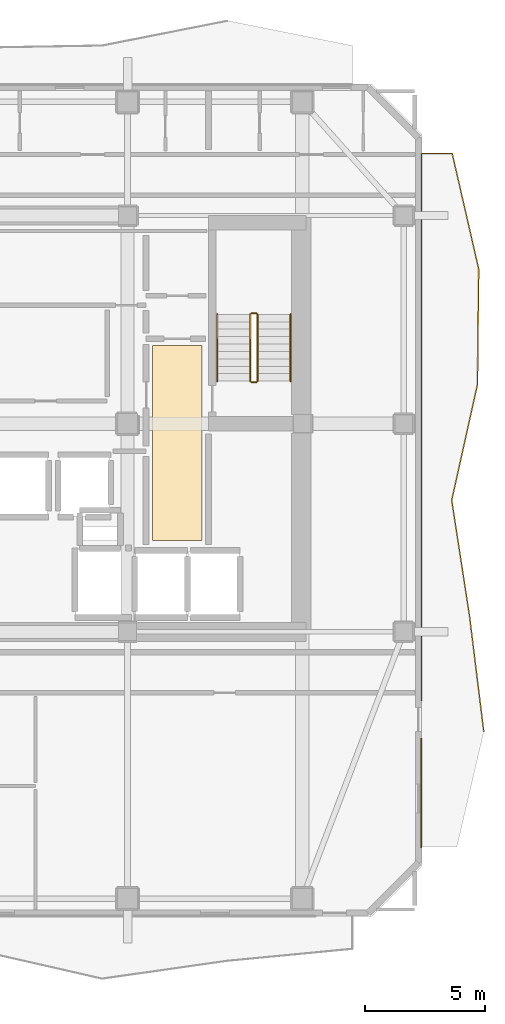
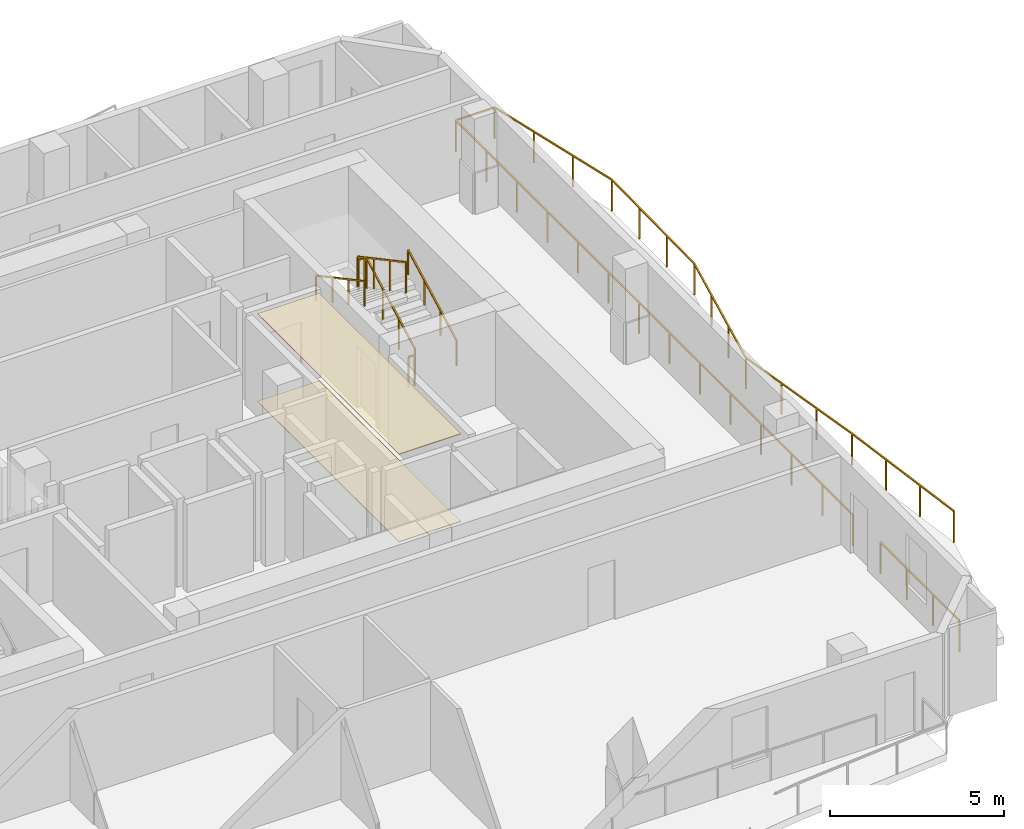
# One storey, part 9 of 10: 8 railings, 2 coverings.
"""IFC4 building model written with IfcOpenShell, lengths in metres."""

from ifc_helpers import new_model, si_unit, direction, frame, origin, origin_2d, place, context, subcontext, project, spatial, polyline, rectangle, outline, extrude, material, layer, layer_set, type_object, element, save


model = new_model("IFC4")

# Units and contexts
model_context = context("Model", 3, precision=1e-05, world=origin(), true_north=direction((0.0, 1.0)))
body_context = subcontext(model_context, "Body", "Model", "MODEL_VIEW")
ifc_project = project(units=[si_unit("LENGTHUNIT", "METRE"), si_unit("AREAUNIT", "SQUARE_METRE"), si_unit("VOLUMEUNIT", "CUBIC_METRE"), si_unit("PLANEANGLEUNIT", "RADIAN"), si_unit("MASSUNIT", "GRAM", prefix="KILO")], contexts=[model_context])

# Site, building, storey
site_placement = place(None, origin())
site = spatial("IfcSite", under=ifc_project, at=site_placement, CompositionType="ELEMENT")
building_placement = place(site_placement, origin())
building = spatial("IfcBuilding", under=site, at=building_placement, Name="Solanera Arch Residences", CompositionType="ELEMENT")
storey_placement = place(building_placement, frame((0.0, 0.0, 203.43994140625)))
storey = spatial("IfcBuildingStorey", under=building, at=storey_placement, Name="L59", CompositionType="ELEMENT", Elevation=203.43994140625)

# Railings
ifc_material_1 = material(Name="Steel S355 (ASTM A992 / A572 Grade 50)", Category="steel")
railing_type_1 = type_object("IfcRailingType", Name="Balustrade Railing BL-1100", PredefinedType="BALUSTRADE", material=ifc_material_1)
railing_1_placement = place(storey_placement, frame((44.092041015625, 17.8330078125, 0.0)))
element("IfcRailing", 1, at=railing_1_placement, inside=storey, type_object=railing_type_1, Name="L59 E Balcony Balustrade 1", PredefinedType="BALUSTRADE", context=body_context, shape_type="SweptSolid", body=[
    extrude(rectangle(XDim=0.048095703125, YDim=0.048095703125, at=origin_2d()), frame((0.0, 0.0, 1.09619140625), z_axis=(-0.122356507499, 0.992486214047, 0.0), x_axis=(-0.992486214047, -0.122356507499, 0.0)), (0.0, 0.0, 1.0), 4.87060546875),
    extrude(rectangle(XDim=0.048095703125, YDim=0.048095703125, at=origin_2d()), frame((-0.595947265625, 4.833984375, 1.09619140625), z_axis=(-0.152177238605, 0.988353220286, 0.0), x_axis=(-0.988353220286, -0.152177238605, 0.0)), (0.0, 0.0, 1.0), 4.889892578125),
    extrude(rectangle(XDim=0.048095703125, YDim=0.048095703125, at=origin_2d()), frame((-1.340087890625, 9.6669921875, 1.09619140625), z_axis=(0.217113192139, 0.976146434609, 0.0), x_axis=(-0.976146434609, 0.217113192139, 0.0)), (0.0, 0.0, 1.0), 4.951171875),
    extrude(rectangle(XDim=0.048095703125, YDim=0.048095703125, at=origin_2d()), frame((-0.26513671875, 14.5, 1.09619140625), z_axis=(0.010958937825, 0.999939949038, 0.0), x_axis=(-0.999939949038, 0.010958937825, 0.0)), (0.0, 0.0, 1.0), 4.834228515625),
    extrude(rectangle(XDim=0.048095703125, YDim=0.048095703125, at=origin_2d()), frame((-0.212158203125, 19.333984375, 1.09619140625), z_axis=(-0.2236295361, 0.974674217666, 0.0), x_axis=(-0.974674217666, -0.2236295361, 0.0)), (0.0, 0.0, 1.0), 4.95849609375),
    extrude(rectangle(XDim=0.048095703125, YDim=0.048095703125, at=origin_2d()), frame((-1.321044921875, 24.1669921875, 1.09619140625), z_axis=(-1.0, 0.0, 0.0), x_axis=(0.0, -1.0, 0.0)), (0.0, 0.0, 1.0), 1.291015625),
    extrude(rectangle(XDim=0.048095703125, YDim=0.048095703125, at=origin_2d()), frame((-2.612060546875, 24.1669921875, 1.09619140625), z_axis=(0.0, -1.0, 0.0), x_axis=(1.0, 0.0, 0.0)), (0.0, 0.0, 1.0), 22.863037109375),
    extrude(rectangle(XDim=0.0419921875, YDim=0.0419921875, at=origin_2d()), origin(), (0.0, 0.0, 1.0), 1.072021484375),
    extrude(rectangle(XDim=0.0419921875, YDim=0.0419921875, at=origin_2d()), frame((-0.19873046875, 1.611328125, 0.0)), (0.0, 0.0, 1.0), 1.072021484375),
    extrude(rectangle(XDim=0.0419921875, YDim=0.0419921875, at=origin_2d()), frame((-0.397216796875, 3.22265625, 0.0)), (0.0, 0.0, 1.0), 1.072021484375),
    extrude(rectangle(XDim=0.0419921875, YDim=0.0419921875, at=origin_2d()), frame((-0.595947265625, 4.833984375, 0.0)), (0.0, 0.0, 1.0), 1.072021484375),
    extrude(rectangle(XDim=0.0419921875, YDim=0.0419921875, at=origin_2d()), frame((-0.843994140625, 6.445068359375, 0.0)), (0.0, 0.0, 1.0), 1.072021484375),
    extrude(rectangle(XDim=0.0419921875, YDim=0.0419921875, at=origin_2d()), frame((-1.092041015625, 8.055908203125, 0.0)), (0.0, 0.0, 1.0), 1.072021484375),
    extrude(rectangle(XDim=0.0419921875, YDim=0.0419921875, at=origin_2d()), frame((-1.340087890625, 9.6669921875, 0.0)), (0.0, 0.0, 1.0), 1.072021484375),
    extrude(rectangle(XDim=0.0419921875, YDim=0.0419921875, at=origin_2d()), frame((-0.981689453125, 11.278076171875, 0.0)), (0.0, 0.0, 1.0), 1.072021484375),
    extrude(rectangle(XDim=0.0419921875, YDim=0.0419921875, at=origin_2d()), frame((-0.62353515625, 12.888916015625, 0.0)), (0.0, 0.0, 1.0), 1.072021484375),
    extrude(rectangle(XDim=0.0419921875, YDim=0.0419921875, at=origin_2d()), frame((-0.26513671875, 14.5, 0.0)), (0.0, 0.0, 1.0), 1.072021484375),
    extrude(rectangle(XDim=0.0419921875, YDim=0.0419921875, at=origin_2d()), frame((-0.24755859375, 16.111328125, 0.0)), (0.0, 0.0, 1.0), 1.072021484375),
    extrude(rectangle(XDim=0.0419921875, YDim=0.0419921875, at=origin_2d()), frame((-0.229736328125, 17.72265625, 0.0)), (0.0, 0.0, 1.0), 1.072021484375),
    extrude(rectangle(XDim=0.0419921875, YDim=0.0419921875, at=origin_2d()), frame((-0.212158203125, 19.333984375, 0.0)), (0.0, 0.0, 1.0), 1.072021484375),
    extrude(rectangle(XDim=0.0419921875, YDim=0.0419921875, at=origin_2d()), frame((-0.581787109375, 20.945068359375, 0.0)), (0.0, 0.0, 1.0), 1.072021484375),
    extrude(rectangle(XDim=0.0419921875, YDim=0.0419921875, at=origin_2d()), frame((-0.951416015625, 22.555908203125, 0.0)), (0.0, 0.0, 1.0), 1.072021484375),
    extrude(rectangle(XDim=0.0419921875, YDim=0.0419921875, at=origin_2d()), frame((-1.321044921875, 24.1669921875, 0.0)), (0.0, 0.0, 1.0), 1.072021484375),
    extrude(rectangle(XDim=0.0419921875, YDim=0.0419921875, at=origin_2d()), frame((-2.612060546875, 24.1669921875, 0.0)), (0.0, 0.0, 1.0), 1.072021484375),
    extrude(rectangle(XDim=0.0419921875, YDim=0.0419921875, at=origin_2d()), frame((-2.612060546875, 22.408203125, 0.0)), (0.0, 0.0, 1.0), 1.072021484375),
    extrude(rectangle(XDim=0.0419921875, YDim=0.0419921875, at=origin_2d()), frame((-2.612060546875, 20.649658203125, 0.0)), (0.0, 0.0, 1.0), 1.072021484375),
    extrude(rectangle(XDim=0.0419921875, YDim=0.0419921875, at=origin_2d()), frame((-2.612060546875, 18.890869140625, 0.0)), (0.0, 0.0, 1.0), 1.072021484375),
    extrude(rectangle(XDim=0.0419921875, YDim=0.0419921875, at=origin_2d()), frame((-2.612060546875, 17.13232421875, 0.0)), (0.0, 0.0, 1.0), 1.072021484375),
    extrude(rectangle(XDim=0.0419921875, YDim=0.0419921875, at=origin_2d()), frame((-2.612060546875, 15.37353515625, 0.0)), (0.0, 0.0, 1.0), 1.072021484375),
    extrude(rectangle(XDim=0.0419921875, YDim=0.0419921875, at=origin_2d()), frame((-2.612060546875, 13.61474609375, 0.0)), (0.0, 0.0, 1.0), 1.072021484375),
    extrude(rectangle(XDim=0.0419921875, YDim=0.0419921875, at=origin_2d()), frame((-2.612060546875, 11.856201171875, 0.0)), (0.0, 0.0, 1.0), 1.072021484375),
    extrude(rectangle(XDim=0.0419921875, YDim=0.0419921875, at=origin_2d()), frame((-2.612060546875, 10.097412109375, 0.0)), (0.0, 0.0, 1.0), 1.072021484375),
    extrude(rectangle(XDim=0.0419921875, YDim=0.0419921875, at=origin_2d()), frame((-2.612060546875, 8.338623046875, 0.0)), (0.0, 0.0, 1.0), 1.072021484375),
    extrude(rectangle(XDim=0.0419921875, YDim=0.0419921875, at=origin_2d()), frame((-2.612060546875, 6.580078125, 0.0)), (0.0, 0.0, 1.0), 1.072021484375),
    extrude(rectangle(XDim=0.0419921875, YDim=0.0419921875, at=origin_2d()), frame((-2.612060546875, 4.8212890625, 0.0)), (0.0, 0.0, 1.0), 1.072021484375),
    extrude(rectangle(XDim=0.0419921875, YDim=0.0419921875, at=origin_2d()), frame((-2.612060546875, 3.062744140625, 0.0)), (0.0, 0.0, 1.0), 1.072021484375),
    extrude(rectangle(XDim=0.0419921875, YDim=0.0419921875, at=origin_2d()), frame((-2.612060546875, 1.303955078125, 0.0)), (0.0, 0.0, 1.0), 1.072021484375),
])
railing_2_placement = place(storey_placement, frame((41.47998046875, 17.537109375, 0.0)))
element("IfcRailing", 2, at=railing_2_placement, inside=storey, type_object=railing_type_1, Name="L59 E Balcony Balustrade 2", PredefinedType="BALUSTRADE", context=body_context, shape_type="SweptSolid", body=[
    extrude(rectangle(XDim=0.048095703125, YDim=0.048095703125, at=origin_2d()), frame((0.0, 0.0, 1.09619140625), z_axis=(0.0, -1.0, 0.0), x_axis=(1.0, 0.0, 0.0)), (0.0, 0.0, 1.0), 4.537109375),
    extrude(rectangle(XDim=0.0419921875, YDim=0.0419921875, at=origin_2d()), origin(), (0.0, 0.0, 1.0), 1.072021484375),
    extrude(rectangle(XDim=0.0419921875, YDim=0.0419921875, at=origin_2d()), frame((0.0, -1.512451171875, 0.0)), (0.0, 0.0, 1.0), 1.072021484375),
    extrude(rectangle(XDim=0.0419921875, YDim=0.0419921875, at=origin_2d()), frame((0.0, -3.024658203125, 0.0)), (0.0, 0.0, 1.0), 1.072021484375),
    extrude(rectangle(XDim=0.0419921875, YDim=0.0419921875, at=origin_2d()), frame((0.0, -4.537109375, 0.0)), (0.0, 0.0, 1.0), 1.072021484375),
])

# Covering
ifc_material_2 = material(Name="Porcelain Acoustic Floor Tile", Category="ceramic")
ifc_layer_1 = layer(ifc_material_2, 0.02001953125)
ifc_layer_set_1 = layer_set([ifc_layer_1], Name="Porcelain Acoustic Floor Tile")
covering_type_1 = type_object("IfcCoveringType", Name="Porcelain Acoustic Floor Finish FLR-20", PredefinedType="FLOORING", material=ifc_layer_set_1)
covering_1_placement = place(storey_placement, origin())
element("IfcCovering", 3, at=covering_1_placement, inside=storey, type_object=covering_type_1, Name="L59-FFL-E Porcelain Floor Finish", PredefinedType="FLOORING", context=body_context, shape_type="SweptSolid", body=[
    extrude(outline(polyline([(32.304931640625, 25.824951171875), (30.25, 25.824951171875), (30.25, 33.97509765625), (32.304931640625, 33.97509765625), (32.304931640625, 25.824951171875)])), origin(), (0.0, 0.0, 1.0), 0.02001953125),
])

# Railings
ifc_material_3 = material(Name="Steel S355 (ASTM A992 / A572 Grade 50)", Category="steel")
railing_type_2 = type_object("IfcRailingType", Name="Stair Guardrail GR-1100", PredefinedType="GUARDRAIL", material=ifc_material_3)
railing_3_placement = place(storey_placement, frame((34.6298828125, 32.47998046875, 0.151123046875)))
element("IfcRailing", 4, at=railing_3_placement, inside=storey, type_object=railing_type_2, Name="L59 ST-T2 stair guard 1", PredefinedType="GUARDRAIL", context=body_context, shape_type="SweptSolid", body=[
    extrude(rectangle(XDim=0.048095703125, YDim=0.048095703125, at=origin_2d()), frame((0.0, 0.0, 1.076171875), z_axis=(0.0, 0.881580869306, 0.472033018838), x_axis=(-1.0, 0.0, 0.0)), (0.0, 0.0, 1.0), 3.164794921875),
    extrude(rectangle(XDim=0.0419921875, YDim=0.0419921875, at=origin_2d()), origin(), (0.0, 0.0, 1.0), 1.052001953125),
    extrude(rectangle(XDim=0.0419921875, YDim=0.0419921875, at=origin_2d()), frame((0.0, 0.929931640625, 0.498046875)), (0.0, 0.0, 1.0), 1.052001953125),
    extrude(rectangle(XDim=0.0419921875, YDim=0.0419921875, at=origin_2d()), frame((0.0, 1.860107421875, 0.995849609375)), (0.0, 0.0, 1.0), 1.052001953125),
    extrude(rectangle(XDim=0.0419921875, YDim=0.0419921875, at=origin_2d()), frame((0.0, 2.7900390625, 1.493896484375)), (0.0, 0.0, 1.0), 1.052001953125),
])
railing_4_placement = place(storey_placement, frame((34.580078125, 35.320068359375, 1.64501953125)))
element("IfcRailing", 5, at=railing_4_placement, inside=storey, type_object=railing_type_2, Name="L59 ST-T2 stair guard 2", PredefinedType="GUARDRAIL", context=body_context, shape_type="SweptSolid", body=[
    extrude(rectangle(XDim=0.048095703125, YDim=0.048095703125, at=origin_2d()), frame((0.0, 0.0, 1.076171875), z_axis=(-1.0, 0.0, 0.0), x_axis=(0.0, -1.0, 0.0)), (0.0, 0.0, 1.0), 0.2001953125),
    extrude(rectangle(XDim=0.0419921875, YDim=0.0419921875, at=origin_2d()), origin(), (0.0, 0.0, 1.0), 1.052001953125),
    extrude(rectangle(XDim=0.0419921875, YDim=0.0419921875, at=origin_2d()), frame((-0.2001953125, 0.0, 0.0)), (0.0, 0.0, 1.0), 1.052001953125),
])
railing_5_placement = place(storey_placement, frame((34.330078125, 35.27001953125, 1.81103515625)))
element("IfcRailing", 6, at=railing_5_placement, inside=storey, type_object=railing_type_2, Name="L59 ST-T2 stair guard 3", PredefinedType="GUARDRAIL", context=body_context, shape_type="SweptSolid", body=[
    extrude(rectangle(XDim=0.048095703125, YDim=0.048095703125, at=origin_2d()), frame((0.0, 0.0, 1.076171875), z_axis=(0.0, -0.881548766853, 0.472092969298), x_axis=(1.0, 0.0, 0.0)), (0.0, 0.0, 1.0), 3.1650390625),
    extrude(rectangle(XDim=0.0419921875, YDim=0.0419921875, at=origin_2d()), origin(), (0.0, 0.0, 1.0), 1.052001953125),
    extrude(rectangle(XDim=0.0419921875, YDim=0.0419921875, at=origin_2d()), frame((0.0, -0.929931640625, 0.498046875)), (0.0, 0.0, 1.0), 1.052001953125),
    extrude(rectangle(XDim=0.0419921875, YDim=0.0419921875, at=origin_2d()), frame((0.0, -1.860107421875, 0.99609375)), (0.0, 0.0, 1.0), 1.052001953125),
    extrude(rectangle(XDim=0.0419921875, YDim=0.0419921875, at=origin_2d()), frame((0.0, -2.7900390625, 1.494140625)), (0.0, 0.0, 1.0), 1.052001953125),
])
railing_6_placement = place(storey_placement, frame((34.580078125, 32.429931640625, -0.014892578125)))
element("IfcRailing", 7, at=railing_6_placement, inside=storey, type_object=railing_type_2, Name="L59 ST-T2 stair guard 4", PredefinedType="GUARDRAIL", context=body_context, shape_type="SweptSolid", body=[
    extrude(rectangle(XDim=0.048095703125, YDim=0.048095703125, at=origin_2d()), frame((0.0, 0.0, 1.076171875), z_axis=(-1.0, 0.0, 0.0), x_axis=(0.0, -1.0, 0.0)), (0.0, 0.0, 1.0), 0.2001953125),
    extrude(rectangle(XDim=0.0419921875, YDim=0.0419921875, at=origin_2d()), origin(), (0.0, 0.0, 1.0), 1.052001953125),
    extrude(rectangle(XDim=0.0419921875, YDim=0.0419921875, at=origin_2d()), frame((-0.2001953125, 0.0, 0.0)), (0.0, 0.0, 1.0), 1.052001953125),
])
ifc_material_4 = material(Name="Steel S355 (ASTM A992 / A572 Grade 50)", Category="steel")
railing_type_3 = type_object("IfcRailingType", Name="Stair Wall Handrail HR-920", PredefinedType="HANDRAIL", material=ifc_material_4)
railing_7_placement = place(storey_placement, frame((36.010009765625, 32.47998046875, 0.166015625)))
element("IfcRailing", 8, at=railing_7_placement, inside=storey, type_object=railing_type_3, Name="L59 ST-T2 stair handrail 1", PredefinedType="HANDRAIL", context=body_context, shape_type="SweptSolid", body=[
    extrude(rectangle(XDim=0.048095703125, YDim=0.048095703125, at=origin_2d()), frame((0.0, 0.0, 0.8759765625), z_axis=(0.0, 0.881548766853, 0.472092969298), x_axis=(-1.0, 0.0, 0.0)), (0.0, 0.0, 1.0), 3.1650390625),
    extrude(rectangle(XDim=0.0419921875, YDim=0.0419921875, at=origin_2d()), origin(), (0.0, 0.0, 1.0), 0.851806640625),
    extrude(rectangle(XDim=0.0419921875, YDim=0.0419921875, at=origin_2d()), frame((0.0, 0.929931640625, 0.498046875)), (0.0, 0.0, 1.0), 0.851806640625),
    extrude(rectangle(XDim=0.0419921875, YDim=0.0419921875, at=origin_2d()), frame((0.0, 1.860107421875, 0.99609375)), (0.0, 0.0, 1.0), 0.851806640625),
    extrude(rectangle(XDim=0.0419921875, YDim=0.0419921875, at=origin_2d()), frame((0.0, 2.7900390625, 1.494140625)), (0.0, 0.0, 1.0), 0.851806640625),
])
railing_8_placement = place(storey_placement, frame((32.949951171875, 35.27001953125, 1.826171875)))
element("IfcRailing", 9, at=railing_8_placement, inside=storey, type_object=railing_type_3, Name="L59 ST-T2 stair handrail 2", PredefinedType="HANDRAIL", context=body_context, shape_type="SweptSolid", body=[
    extrude(rectangle(XDim=0.048095703125, YDim=0.048095703125, at=origin_2d()), frame((0.0, 0.0, 0.8759765625), z_axis=(0.0, -0.881580869306, 0.472033018838), x_axis=(1.0, 0.0, 0.0)), (0.0, 0.0, 1.0), 3.164794921875),
    extrude(rectangle(XDim=0.0419921875, YDim=0.0419921875, at=origin_2d()), origin(), (0.0, 0.0, 1.0), 0.851806640625),
    extrude(rectangle(XDim=0.0419921875, YDim=0.0419921875, at=origin_2d()), frame((0.0, -0.929931640625, 0.498046875)), (0.0, 0.0, 1.0), 0.851806640625),
    extrude(rectangle(XDim=0.0419921875, YDim=0.0419921875, at=origin_2d()), frame((0.0, -1.860107421875, 0.995849609375)), (0.0, 0.0, 1.0), 0.851806640625),
    extrude(rectangle(XDim=0.0419921875, YDim=0.0419921875, at=origin_2d()), frame((0.0, -2.7900390625, 1.493896484375)), (0.0, 0.0, 1.0), 0.851806640625),
])

# Covering
ifc_material_5 = material(Name="Mineral Fibre Acoustic Ceiling Board", Category="gypsum")
ifc_layer_2 = layer(ifc_material_5, 0.02490234375)
ifc_layer_set_2 = layer_set([ifc_layer_2], Name="Mineral Fibre Acoustic Ceiling Board")
covering_type_2 = type_object("IfcCoveringType", Name="Suspended Acoustic Ceiling Board CLG-25", PredefinedType="CEILING", material=ifc_layer_set_2)
covering_2_placement = place(storey_placement, frame((0.0, 0.0, 3.074951171875)))
element("IfcCovering", 10, at=covering_2_placement, inside=storey, type_object=covering_type_2, Name="L59-FFL-E Acoustic Ceiling", PredefinedType="CEILING", context=body_context, shape_type="SweptSolid", body=[
    extrude(outline(polyline([(32.304931640625, 25.824951171875), (30.25, 25.824951171875), (30.25, 33.97509765625), (32.304931640625, 33.97509765625), (32.304931640625, 25.824951171875)])), origin(), (0.0, 0.0, 1.0), 0.025146484375),
])

save(model, "model.ifc")
